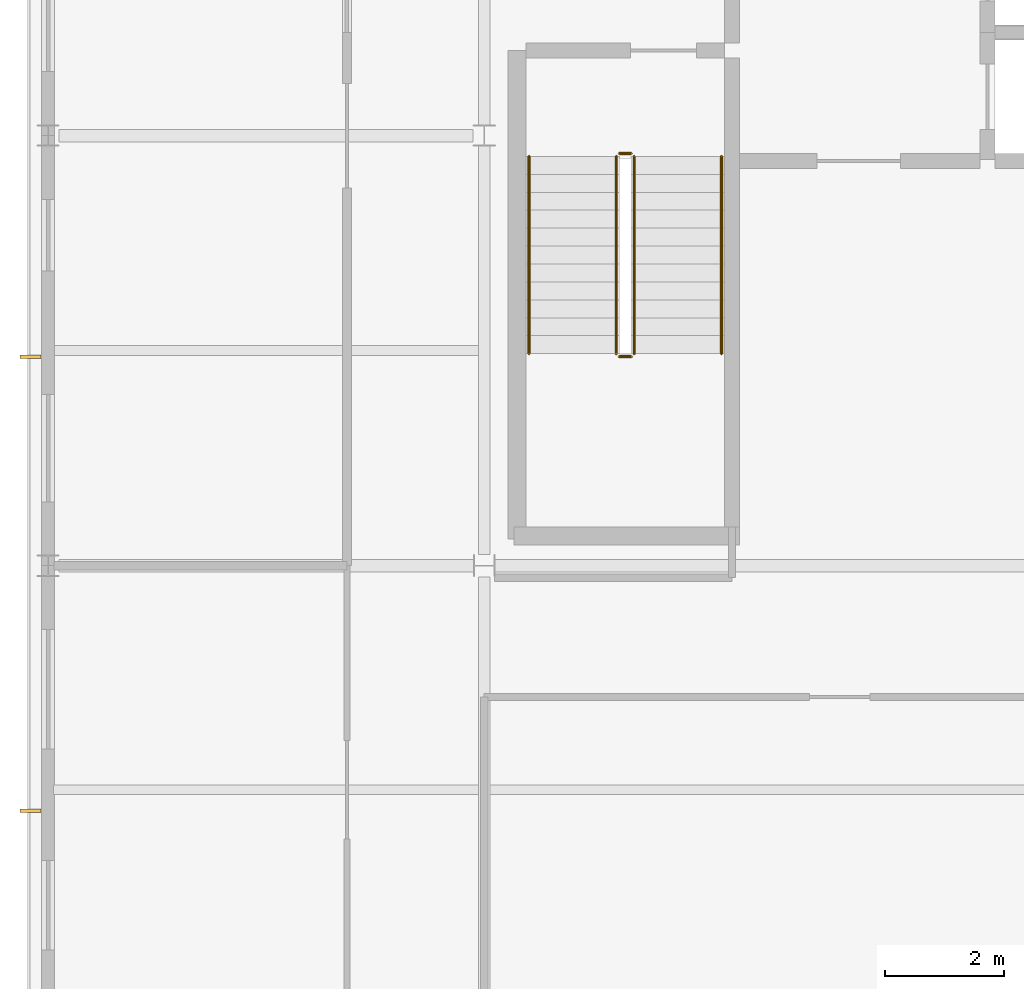
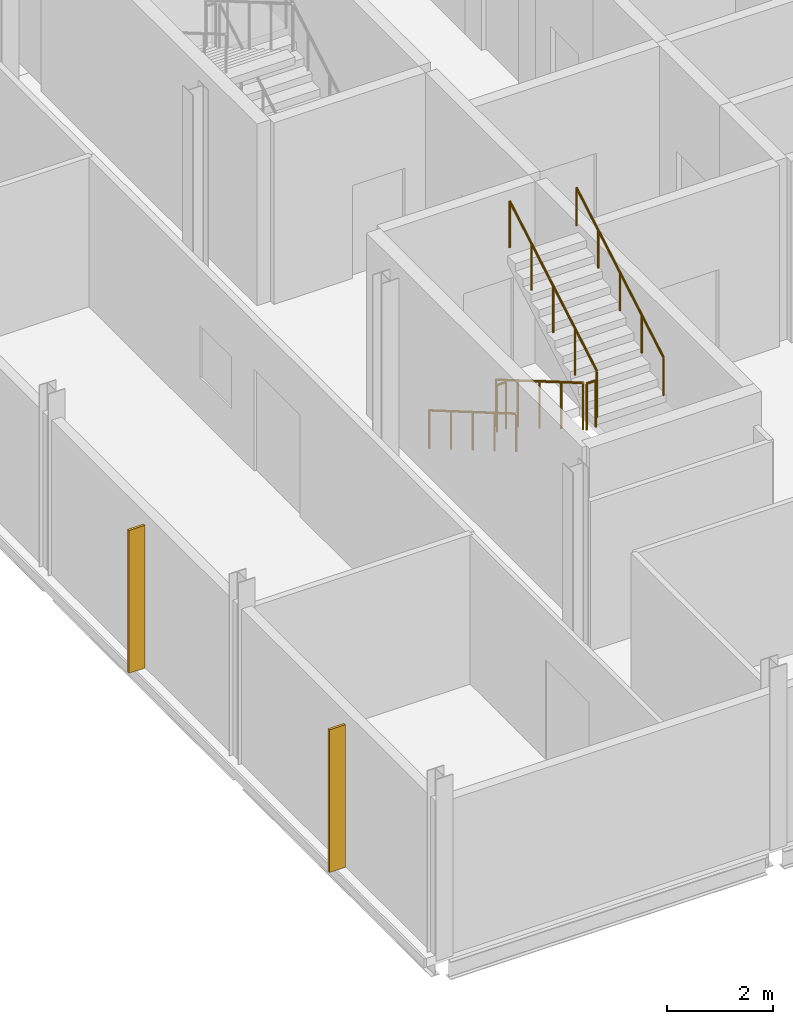
# One storey, part 15 of 17: 6 railings, 2 shading devices.
"""IFC4 building model written with IfcOpenShell, lengths in metres."""

from ifc_helpers import new_model, si_unit, direction, frame, origin, origin_2d, place, context, subcontext, project, spatial, rectangle, circle, extrude, material, type_object, element, save


model = new_model("IFC4")

# Units and contexts
model_context = context("Model", 3, precision=1e-05, world=origin(), true_north=direction((0.0, 1.0)))
body_context = subcontext(model_context, "Body", "Model", "MODEL_VIEW")
ifc_project = project(units=[si_unit("LENGTHUNIT", "METRE"), si_unit("AREAUNIT", "SQUARE_METRE"), si_unit("VOLUMEUNIT", "CUBIC_METRE"), si_unit("PLANEANGLEUNIT", "RADIAN"), si_unit("MASSUNIT", "GRAM", prefix="KILO")], contexts=[model_context])

# Site, building, storey
site_placement = place(None, origin())
site = spatial("IfcSite", under=ifc_project, at=site_placement, CompositionType="ELEMENT")
building_placement = place(site_placement, origin())
building = spatial("IfcBuilding", under=site, at=building_placement, Name="Quillay Park Conservatory", CompositionType="ELEMENT")
storey_placement = place(building_placement, frame((0.0, 0.0, 51.89990234375)))
storey = spatial("IfcBuildingStorey", under=building, at=storey_placement, Name="L12", CompositionType="ELEMENT", Elevation=51.89990234375)

# Railings
ifc_material_1 = material(Name="Steel S355J2H", Category="steel")
railing_type_1 = type_object("IfcRailingType", Name="STAIR WALL HANDRAIL 900", PredefinedType="HANDRAIL", material=ifc_material_1)
railing_1_placement = place(storey_placement, frame((8.60009765625, 84.85009765625, 0.175048828125)))
element("IfcRailing", 1, at=railing_1_placement, inside=storey, type_object=railing_type_1, Name="L12 ST-T2 stair handrail 1", PredefinedType="HANDRAIL", context=body_context, shape_type="SweptSolid", body=[
    extrude(circle(Radius=0.02392578125, at=origin_2d()), frame((0.0, 0.0, 0.8759765625), z_axis=(0.0, -0.863776583165, 0.503874998761), x_axis=(1.0, 0.0, 0.0)), (0.0, 0.0, 1.0), 3.820556640625),
    extrude(circle(Radius=0.02099609375, at=origin_2d()), origin(), (0.0, 0.0, 1.0), 0.851806640625),
    extrude(circle(Radius=0.02099609375, at=origin_2d()), frame((0.0, -0.824951171875, 0.481201171875)), (0.0, 0.0, 1.0), 0.851806640625),
    extrude(circle(Radius=0.02099609375, at=origin_2d()), frame((0.0, -1.64990234375, 0.96240234375)), (0.0, 0.0, 1.0), 0.851806640625),
    extrude(circle(Radius=0.02099609375, at=origin_2d()), frame((0.0, -2.47509765625, 1.44384765625)), (0.0, 0.0, 1.0), 0.851806640625),
    extrude(circle(Radius=0.02099609375, at=origin_2d()), frame((0.0, -3.300048828125, 1.925048828125)), (0.0, 0.0, 1.0), 0.851806640625),
])
railing_2_placement = place(storey_placement, frame((11.820068359375, 81.550048828125, 2.275146484375)))
element("IfcRailing", 2, at=railing_2_placement, inside=storey, type_object=railing_type_1, Name="L12 ST-T2 stair handrail 2", PredefinedType="HANDRAIL", context=body_context, shape_type="SweptSolid", body=[
    extrude(circle(Radius=0.02392578125, at=origin_2d()), frame((0.0, 0.0, 0.8759765625), z_axis=(0.0, 0.863776583165, 0.503874998761), x_axis=(-1.0, 0.0, 0.0)), (0.0, 0.0, 1.0), 3.820556640625),
    extrude(circle(Radius=0.02099609375, at=origin_2d()), origin(), (0.0, 0.0, 1.0), 0.851806640625),
    extrude(circle(Radius=0.02099609375, at=origin_2d()), frame((0.0, 0.824951171875, 0.481201171875)), (0.0, 0.0, 1.0), 0.851806640625),
    extrude(circle(Radius=0.02099609375, at=origin_2d()), frame((0.0, 1.64990234375, 0.96240234375)), (0.0, 0.0, 1.0), 0.851806640625),
    extrude(circle(Radius=0.02099609375, at=origin_2d()), frame((0.0, 2.47509765625, 1.44384765625)), (0.0, 0.0, 1.0), 0.851806640625),
    extrude(circle(Radius=0.02099609375, at=origin_2d()), frame((0.0, 3.300048828125, 1.925048828125)), (0.0, 0.0, 1.0), 0.851806640625),
])
ifc_material_2 = material(Name="Steel S355J2H", Category="steel")
railing_type_2 = type_object("IfcRailingType", Name="STAIR WELL GUARDRAIL 1100", PredefinedType="GUARDRAIL", material=ifc_material_2)
railing_3_placement = place(storey_placement, frame((10.06005859375, 84.85009765625, 0.175048828125)))
element("IfcRailing", 3, at=railing_3_placement, inside=storey, type_object=railing_type_2, Name="L12 ST-T2 stair guard 1", PredefinedType="GUARDRAIL", context=body_context, shape_type="SweptSolid", body=[
    extrude(circle(Radius=0.02392578125, at=origin_2d()), frame((0.0, 0.0, 1.076171875), z_axis=(0.0, -0.863776583165, 0.503874998761), x_axis=(1.0, 0.0, 0.0)), (0.0, 0.0, 1.0), 3.820556640625),
    extrude(circle(Radius=0.02099609375, at=origin_2d()), origin(), (0.0, 0.0, 1.0), 1.052001953125),
    extrude(circle(Radius=0.02099609375, at=origin_2d()), frame((0.0, -0.824951171875, 0.481201171875)), (0.0, 0.0, 1.0), 1.052001953125),
    extrude(circle(Radius=0.02099609375, at=origin_2d()), frame((0.0, -1.64990234375, 0.96240234375)), (0.0, 0.0, 1.0), 1.052001953125),
    extrude(circle(Radius=0.02099609375, at=origin_2d()), frame((0.0, -2.47509765625, 1.44384765625)), (0.0, 0.0, 1.0), 1.052001953125),
    extrude(circle(Radius=0.02099609375, at=origin_2d()), frame((0.0, -3.300048828125, 1.925048828125)), (0.0, 0.0, 1.0), 1.052001953125),
])
railing_4_placement = place(storey_placement, frame((10.110107421875, 81.5, 2.10009765625)))
element("IfcRailing", 4, at=railing_4_placement, inside=storey, type_object=railing_type_2, Name="L12 ST-T2 stair guard 2", PredefinedType="GUARDRAIL", context=body_context, shape_type="SweptSolid", body=[
    extrude(circle(Radius=0.02392578125, at=origin_2d()), frame((0.0, 0.0, 1.076171875), z_axis=(1.0, 0.0, 0.0), x_axis=(0.0, 1.0, 0.0)), (0.0, 0.0, 1.0), 0.199951171875),
    extrude(circle(Radius=0.02099609375, at=origin_2d()), origin(), (0.0, 0.0, 1.0), 1.052001953125),
    extrude(circle(Radius=0.02099609375, at=origin_2d()), frame((0.199951171875, 0.0, 0.0)), (0.0, 0.0, 1.0), 1.052001953125),
])
railing_5_placement = place(storey_placement, frame((10.360107421875, 81.550048828125, 2.275146484375)))
element("IfcRailing", 5, at=railing_5_placement, inside=storey, type_object=railing_type_2, Name="L12 ST-T2 stair guard 3", PredefinedType="GUARDRAIL", context=body_context, shape_type="SweptSolid", body=[
    extrude(circle(Radius=0.02392578125, at=origin_2d()), frame((0.0, 0.0, 1.076171875), z_axis=(0.0, 0.863776583165, 0.503874998761), x_axis=(-1.0, 0.0, 0.0)), (0.0, 0.0, 1.0), 3.820556640625),
    extrude(circle(Radius=0.02099609375, at=origin_2d()), origin(), (0.0, 0.0, 1.0), 1.052001953125),
    extrude(circle(Radius=0.02099609375, at=origin_2d()), frame((0.0, 0.824951171875, 0.481201171875)), (0.0, 0.0, 1.0), 1.052001953125),
    extrude(circle(Radius=0.02099609375, at=origin_2d()), frame((0.0, 1.64990234375, 0.96240234375)), (0.0, 0.0, 1.0), 1.052001953125),
    extrude(circle(Radius=0.02099609375, at=origin_2d()), frame((0.0, 2.47509765625, 1.44384765625)), (0.0, 0.0, 1.0), 1.052001953125),
    extrude(circle(Radius=0.02099609375, at=origin_2d()), frame((0.0, 3.300048828125, 1.925048828125)), (0.0, 0.0, 1.0), 1.052001953125),
])
railing_6_placement = place(storey_placement, frame((10.110107421875, 84.89990234375, 0.0)))
element("IfcRailing", 6, at=railing_6_placement, inside=storey, type_object=railing_type_2, Name="L12 ST-T2 stair guard 4", PredefinedType="GUARDRAIL", context=body_context, shape_type="SweptSolid", body=[
    extrude(circle(Radius=0.02392578125, at=origin_2d()), frame((0.0, 0.0, 1.076171875), z_axis=(1.0, 0.0, 0.0), x_axis=(0.0, 1.0, 0.0)), (0.0, 0.0, 1.0), 0.199951171875),
    extrude(circle(Radius=0.02099609375, at=origin_2d()), origin(), (0.0, 0.0, 1.0), 1.052001953125),
    extrude(circle(Radius=0.02099609375, at=origin_2d()), frame((0.199951171875, 0.0, 0.0)), (0.0, 0.0, 1.0), 1.052001953125),
])

# Shading devices
ifc_material_3 = material(Name="Perforated Copper-Bronze Anodised Aluminium", Category="aluminium")
shading_device_type = type_object("IfcShadingDeviceType", Name="COPPER BRONZE SOLAR FIN", PredefinedType="USERDEFINED", material=ifc_material_3)
for number, where, z_axis, x_axis, name in (
    (7, (0.2548828125, 73.89990234375, 0.0), (0.0, 0.0, 1.0), (1.0, 0.0, 0.0), "L12 Perforated Copper-Bronze Solar Fin 041"),
    (8, (0.2548828125, 81.5, 0.0), (0.0, 0.0, 1.0), (1.0, 0.0, 0.0), "L12 Perforated Copper-Bronze Solar Fin 042"),
):
    element("IfcShadingDevice", number, at=place(storey_placement, frame(where, z_axis=z_axis, x_axis=x_axis)), inside=storey, type_object=shading_device_type, Name=name, ObjectType="SOLAR FIN", PredefinedType="USERDEFINED", context=body_context, shape_type="SweptSolid", body=[
        extrude(rectangle(XDim=0.35009765625, YDim=0.054931640625, at=origin_2d()), origin(), (0.0, 0.0, 1.0), 3.300048828125),
    ])

save(model, "model.ifc")
